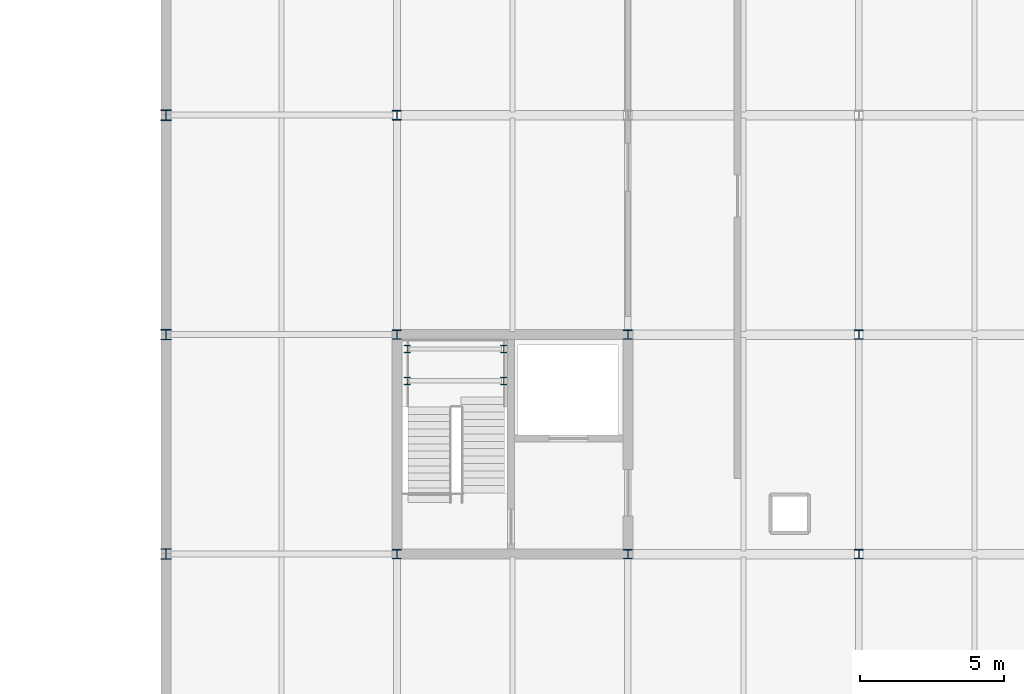
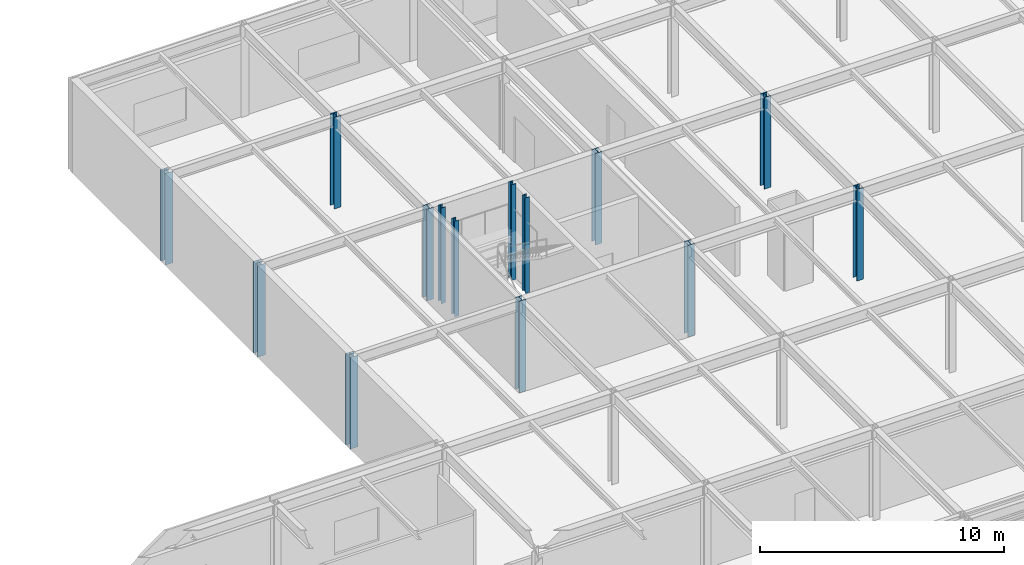
# One storey, part 14 of 104: 14 columns.
"""IFC4 building model written with IfcOpenShell, lengths in metres."""

from ifc_helpers import new_model, si_unit, direction, frame, origin, origin_2d, place, context, subcontext, project, spatial, i_section, extrude, material, material_profile, profile_set, type_object, element, save


model = new_model("IFC4")

# Units and contexts
model_context = context("Model", 3, precision=1e-05, world=origin(), true_north=direction((0.0, 1.0)))
body_context = subcontext(model_context, "Body", "Model", "MODEL_VIEW")
ifc_project = project(units=[si_unit("LENGTHUNIT", "METRE"), si_unit("AREAUNIT", "SQUARE_METRE"), si_unit("VOLUMEUNIT", "CUBIC_METRE"), si_unit("PLANEANGLEUNIT", "RADIAN"), si_unit("MASSUNIT", "GRAM", prefix="KILO")], contexts=[model_context])

# Site, building, storey
site_placement = place(None, origin())
site = spatial("IfcSite", under=ifc_project, at=site_placement, CompositionType="ELEMENT")
building_placement = place(site_placement, origin())
building = spatial("IfcBuilding", under=site, at=building_placement, Name="Zulena Civic Courthouse", CompositionType="ELEMENT")
storey_placement = place(building_placement, frame((0.0, 0.0, 15.60009765625)))
storey = spatial("IfcBuildingStorey", under=building, at=storey_placement, Name="L03", CompositionType="ELEMENT", Elevation=15.60009765625)

# Columns
ifc_material = material(Name="Steel ASTM A992 Grade 50", Category="steel")
ifc_material_profile_1 = material_profile(ifc_material, i_section(OverallWidth=0.2041015625, OverallDepth=0.257080078125, WebThickness=0.0087890625, FlangeThickness=0.015625, FilletRadius=0.0126953125, at=origin_2d()), Name="W10X45")
ifc_profile_set_1 = profile_set([ifc_material_profile_1], Name="Steel ASTM A992 Grade 50")
column_type_1 = type_object("IfcColumnType", Name="Col_W10X45", PredefinedType="COLUMN", material=ifc_profile_set_1)
for number, where, z_axis, x_axis, name in (
    (1, (76.360107421875, 74.39990234375, 0.0), (0.0, 0.0, 1.0), (1.0, 0.0, 0.0), "col:lnd:K5B:L03:0:0"),
    (2, (79.699951171875, 74.39990234375, 0.0), (0.0, 0.0, 1.0), (1.0, 0.0, 0.0), "col:lnd:K5B:L03:0:1"),
    (3, (76.360107421875, 75.5, 0.0), (0.0, 0.0, 1.0), (1.0, 0.0, 0.0), "col:lnd:K5B:L03:1:0"),
    (4, (79.699951171875, 75.5, 0.0), (0.0, 0.0, 1.0), (1.0, 0.0, 0.0), "col:lnd:K5B:L03:1:1"),
):
    element("IfcColumn", number, at=place(storey_placement, frame(where, z_axis=z_axis, x_axis=x_axis)), inside=storey, type_object=column_type_1, Name=name, PredefinedType="COLUMN", context=body_context, shape_type="SweptSolid", body=[
        extrude(i_section(OverallWidth=0.2041015625, OverallDepth=0.257080078125, WebThickness=0.0087890625, FlangeThickness=0.015625, FilletRadius=0.0126953125, at=origin_2d()), origin(), (0.0, 0.0, 1.0), 4.794921875),
    ])
ifc_material_profile_2 = material_profile(ifc_material, i_section(OverallWidth=0.31298828125, OverallDepth=0.3330078125, WebThickness=0.01806640625, FlangeThickness=0.0283203125, FilletRadius=0.01513671875, at=origin_2d()), Name="W12X120")
ifc_profile_set_2 = profile_set([ifc_material_profile_2], Name="Steel ASTM A992 Grade 50")
column_type_2 = type_object("IfcColumnType", Name="Col_W12X120", PredefinedType="COLUMN", material=ifc_profile_set_2)
for number, where, z_axis, x_axis, name in (
    (5, (76.0, 68.39990234375, 0.0), (0.0, 0.0, 1.0), (1.0, 0.0, 0.0), "col:V5:L03:76.0:68.4"),
    (6, (76.0, 76.0, 0.0), (0.0, 0.0, 1.0), (1.0, 0.0, 0.0), "col:V5:L03:76.0:76.0"),
    (7, (76.0, 83.60009765625, 0.0), (0.0, 0.0, 1.0), (1.0, 0.0, 0.0), "col:V5:L03:76.0:83.6"),
    (8, (84.0, 68.39990234375, 0.0), (0.0, 0.0, 1.0), (1.0, 0.0, 0.0), "col:V5:L03:84.0:68.4"),
    (9, (84.0, 76.0, 0.0), (0.0, 0.0, 1.0), (1.0, 0.0, 0.0), "col:V5:L03:84.0:76.0"),
    (10, (92.0, 68.39990234375, 0.0), (0.0, 0.0, 1.0), (1.0, 0.0, 0.0), "col:V5:L03:92.0:68.4"),
    (11, (92.0, 76.0, 0.0), (0.0, 0.0, 1.0), (1.0, 0.0, 0.0), "col:V5:L03:92.0:76.0"),
):
    element("IfcColumn", number, at=place(storey_placement, frame(where, z_axis=z_axis, x_axis=x_axis)), inside=storey, type_object=column_type_2, Name=name, PredefinedType="COLUMN", context=body_context, shape_type="SweptSolid", body=[
        extrude(i_section(OverallWidth=0.31298828125, OverallDepth=0.3330078125, WebThickness=0.01806640625, FlangeThickness=0.0283203125, FilletRadius=0.01513671875, at=origin_2d()), origin(), (0.0, 0.0, 1.0), 4.58984375),
    ])
ifc_material_profile_3 = material_profile(ifc_material, i_section(OverallWidth=0.373046875, OverallDepth=0.367919921875, WebThickness=0.014892578125, FlangeThickness=0.02392578125, FilletRadius=0.01513671875, at=origin_2d()), Name="W14X120")
ifc_profile_set_3 = profile_set([ifc_material_profile_3], Name="Steel ASTM A992 Grade 50")
column_type_3 = type_object("IfcColumnType", Name="Col_W14X120", PredefinedType="COLUMN", material=ifc_profile_set_3)
for number, where, z_axis, x_axis, name in (
    (12, (68.0, 68.39990234375, 0.0), (0.0, 0.0, 1.0), (1.0, 0.0, 0.0), "col:V5:L03:68.0:68.4"),
    (13, (68.0, 76.0, 0.0), (0.0, 0.0, 1.0), (1.0, 0.0, 0.0), "col:V5:L03:68.0:76.0"),
    (14, (68.0, 83.60009765625, 0.0), (0.0, 0.0, 1.0), (1.0, 0.0, 0.0), "col:V5:L03:68.0:83.6"),
):
    element("IfcColumn", number, at=place(storey_placement, frame(where, z_axis=z_axis, x_axis=x_axis)), inside=storey, type_object=column_type_3, Name=name, PredefinedType="COLUMN", context=body_context, shape_type="SweptSolid", body=[
        extrude(i_section(OverallWidth=0.373046875, OverallDepth=0.367919921875, WebThickness=0.014892578125, FlangeThickness=0.02392578125, FilletRadius=0.01513671875, at=origin_2d()), origin(), (0.0, 0.0, 1.0), 4.58984375),
    ])

save(model, "model.ifc")
